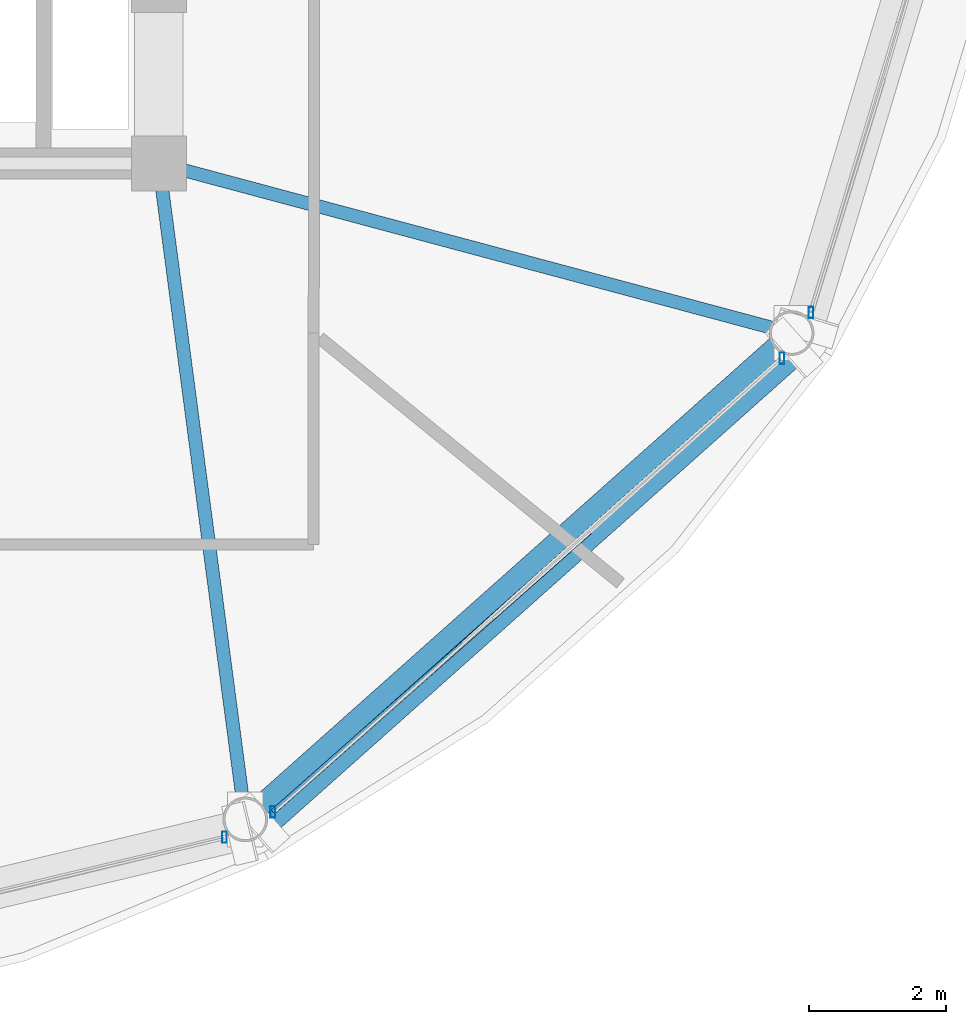
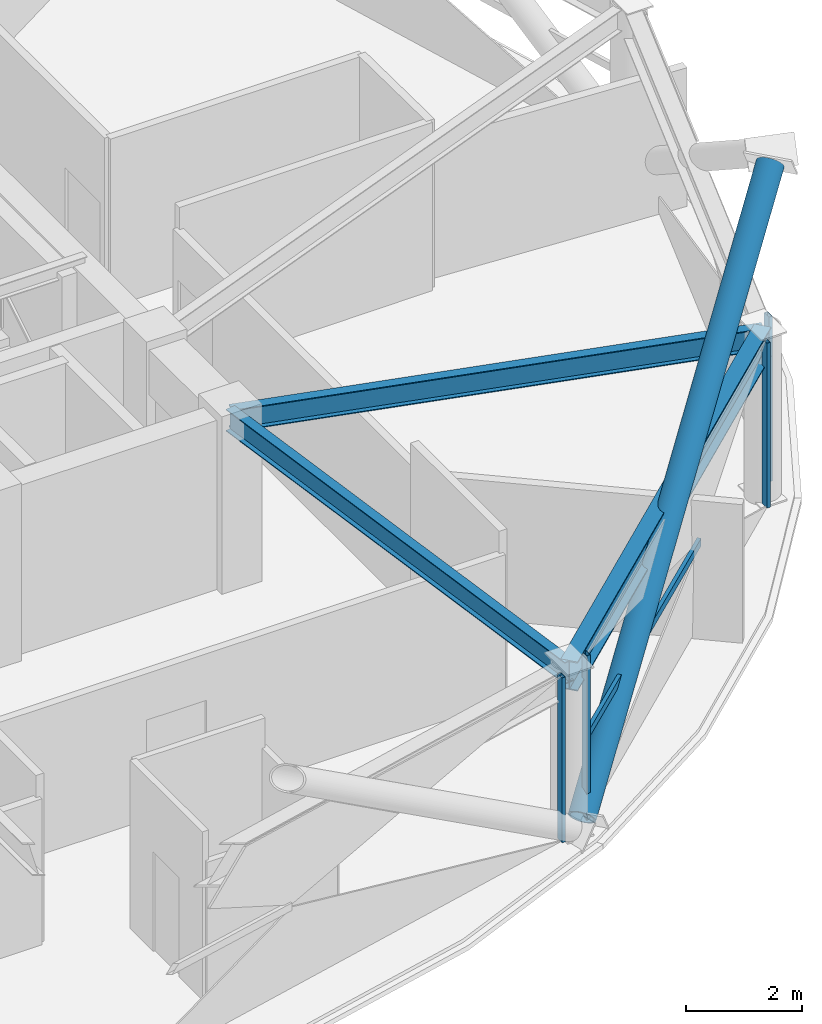
# One storey, part 11 of 28: 6 members, 3 beams, 3 elements without a shape of their own.
"""IFC4 building model written with IfcOpenShell, lengths in metres."""

from ifc_helpers import new_model, si_unit, direction, frame, origin, origin_2d, place, context, subcontext, project, spatial, hollow_rectangle, hollow_circle, i_section, extrude, material, layer, layer_set, material_profile, profile_set, type_object, element, aggregate, save


model = new_model("IFC4")

# Units and contexts
model_context = context("Model", 3, precision=1e-05, world=origin(), true_north=direction((0.0, 1.0)))
body_context = subcontext(model_context, "Body", "Model", "MODEL_VIEW")
ifc_project = project(units=[si_unit("LENGTHUNIT", "METRE"), si_unit("AREAUNIT", "SQUARE_METRE"), si_unit("VOLUMEUNIT", "CUBIC_METRE"), si_unit("PLANEANGLEUNIT", "RADIAN"), si_unit("MASSUNIT", "GRAM", prefix="KILO")], contexts=[model_context])

# Site, building, storey
site_placement = place(None, origin())
site = spatial("IfcSite", under=ifc_project, at=site_placement, CompositionType="ELEMENT")
building_placement = place(site_placement, origin())
building = spatial("IfcBuilding", under=site, at=building_placement, Name="Vantalir Tower", CompositionType="ELEMENT")
storey_placement = place(building_placement, frame((0.0, 0.0, 242.39990234375)))
storey = spatial("IfcBuildingStorey", under=building, at=storey_placement, Name="L61", CompositionType="ELEMENT", Elevation=242.39990234375)

# Beams
ifc_material_1 = material(Name="Steel S355", Category="steel")
ifc_material_profile_1 = material_profile(ifc_material_1, i_section(OverallWidth=0.19189453125, OverallDepth=0.462890625, WebThickness=0.010498046875, FlangeThickness=0.017578125, at=origin_2d()), Name="Steel S355")
ifc_profile_set_1 = profile_set([ifc_material_profile_1], Name="Steel S355")
beam_type_1 = type_object("IfcBeamType", Name="BM-RB-457x191", PredefinedType="BEAM", material=ifc_profile_set_1)
beam_1_placement = place(storey_placement, frame((42.35888671875, 8.257080078125, 3.338134765625), z_axis=(-0.130774684438, 0.991412115071, 0.0), x_axis=(-0.991412115071, -0.130774684438, 0.0)))
element("IfcBeam", 1, at=beam_1_placement, inside=storey, type_object=beam_type_1, Name="L61 Radial Floor Beam 11", PredefinedType="BEAM", context=body_context, shape_type="SweptSolid", body=[
    extrude(i_section(OverallWidth=0.19189453125, OverallDepth=0.462890625, WebThickness=0.010498046875, FlangeThickness=0.017578125, at=origin_2d()), origin(), (0.0, 0.0, 1.0), 9.625732421875),
])
beam_2_placement = place(storey_placement, frame((50.30810546875, 15.3330078125, 3.338134765625), z_axis=(-0.965932047749, 0.25879582518, 0.0), x_axis=(-0.25879582518, -0.965932047749, 0.0)))
element("IfcBeam", 2, at=beam_2_placement, inside=storey, type_object=beam_type_1, Name="L61 Radial Floor Beam 12", PredefinedType="BEAM", context=body_context, shape_type="SweptSolid", body=[
    extrude(i_section(OverallWidth=0.19189453125, OverallDepth=0.462890625, WebThickness=0.010498046875, FlangeThickness=0.017578125, at=origin_2d()), origin(), (0.0, 0.0, 1.0), 9.53271484375),
])
ifc_material_2 = material(Name="Steel S460", Category="steel")
ifc_material_profile_2 = material_profile(ifc_material_2, i_section(OverallWidth=0.306884765625, OverallDepth=0.6201171875, WebThickness=0.01416015625, FlangeThickness=0.023681640625, at=origin_2d()), Name="Steel S460")
ifc_profile_set_2 = profile_set([ifc_material_profile_2], Name="Steel S460")
beam_type_2 = type_object("IfcBeamType", Name="BM-RG-610x305", PredefinedType="USERDEFINED", material=ifc_profile_set_2)
beam_3_placement = place(storey_placement, frame((42.35888671875, 8.257080078125, 3.260009765625), z_axis=(0.746944629215, 0.664886246577, 0.0), x_axis=(-0.664886246577, 0.746944629215, 0.0)))
element("IfcBeam", 3, at=beam_3_placement, inside=storey, type_object=beam_type_2, Name="L61 Circumferential Ring Girder 11", ObjectType="GIRDER", PredefinedType="USERDEFINED", context=body_context, shape_type="SweptSolid", body=[
    extrude(i_section(OverallWidth=0.306884765625, OverallDepth=0.6201171875, WebThickness=0.01416015625, FlangeThickness=0.023681640625, at=origin_2d()), origin(), (0.0, 0.0, 1.0), 10.642333984375),
])

# Curtain wall, member
ifc_material_3 = material(Name="Champagne-silver PVDF aluminium and double-silver Low-E glass", Category="aluminium")
ifc_layer = layer(ifc_material_3, 0.2099609375)
ifc_layer_set = layer_set([ifc_layer], Name="Champagne-silver PVDF aluminium and double-silver Low-E glass")
curtain_wall_type = type_object("IfcCurtainWallType", Name="CW-DIAMOND-Z3", PredefinedType="USERDEFINED", material=ifc_layer_set)
curtain_wall_1_placement = place(storey_placement, origin())
curtain_wall_1 = element("IfcCurtainWall", 4, at=curtain_wall_1_placement, inside=storey, type_object=curtain_wall_type, Name="L61 Quilted Pyramid-Diamond Curtain Wall S10", ObjectType="UNITISED CURTAIN WALL", PredefinedType="USERDEFINED")
ifc_material_4 = material(Name="Champagne-silver PVDF aluminium 6063-T6", Category="aluminium")
ifc_material_profile_3 = material_profile(ifc_material_4, hollow_rectangle(XDim=0.070068359375, YDim=0.1650390625, WallThickness=0.00390625, at=origin_2d()), Name="Champagne-silver PVDF aluminium 6063-T6")
ifc_profile_set_3 = profile_set([ifc_material_profile_3], Name="Champagne-silver PVDF aluminium 6063-T6")
member_type_1 = type_object("IfcMemberType", Name="CWM-165x70", PredefinedType="MULLION", material=ifc_profile_set_3)
member_1_placement = place(storey_placement, frame((42.054931640625, 7.998046875, 0.045166015625), z_axis=(0.0, 0.0, 1.0), x_axis=(1.0, 0.0, 0.0)))
member_1 = element("IfcMember", 5, at=member_1_placement, type_object=member_type_1, Name="CW-L61-S10 Mullion 2", PredefinedType="MULLION", context=body_context, shape_type="SweptSolid", body=[
    extrude(hollow_rectangle(XDim=0.070068359375, YDim=0.1650390625, WallThickness=0.00390625, at=origin_2d()), origin(), (0.0, 0.0, 1.0), 3.47998046875),
])
aggregate(curtain_wall_1, [member_1])

# Curtain wall, members
curtain_wall_2_placement = place(storey_placement, origin())
curtain_wall_2 = element("IfcCurtainWall", 6, at=curtain_wall_2_placement, inside=storey, type_object=curtain_wall_type, Name="L61 Quilted Pyramid-Diamond Curtain Wall S11", ObjectType="UNITISED CURTAIN WALL", PredefinedType="USERDEFINED")
member_2_placement = place(storey_placement, frame((42.760009765625, 8.365966796875, 0.045166015625), z_axis=(0.0, 0.0, 1.0), x_axis=(1.0, 0.0, 0.0)))
member_2 = element("IfcMember", 7, at=member_2_placement, type_object=member_type_1, Name="CW-L61-S11 Mullion 1", PredefinedType="MULLION", context=body_context, shape_type="SweptSolid", body=[
    extrude(hollow_rectangle(XDim=0.070068359375, YDim=0.1650390625, WallThickness=0.00390625, at=origin_2d()), origin(), (0.0, 0.0, 1.0), 3.47998046875),
])
member_3_placement = place(storey_placement, frame((50.1669921875, 14.965087890625, 0.045166015625), z_axis=(0.0, 0.0, 1.0), x_axis=(1.0, 0.0, 0.0)))
member_3 = element("IfcMember", 8, at=member_3_placement, type_object=member_type_1, Name="CW-L61-S11 Mullion 2", PredefinedType="MULLION", context=body_context, shape_type="SweptSolid", body=[
    extrude(hollow_rectangle(XDim=0.070068359375, YDim=0.1650390625, WallThickness=0.00390625, at=origin_2d()), origin(), (0.0, 0.0, 1.0), 3.47998046875),
])

# Curtain wall, member
curtain_wall_3_placement = place(storey_placement, origin())
curtain_wall_3 = element("IfcCurtainWall", 9, at=curtain_wall_3_placement, inside=storey, type_object=curtain_wall_type, Name="L61 Quilted Pyramid-Diamond Curtain Wall S12", ObjectType="UNITISED CURTAIN WALL", PredefinedType="USERDEFINED")
member_4_placement = place(storey_placement, frame((50.591064453125, 15.631103515625, 0.045166015625), z_axis=(0.0, 0.0, 1.0), x_axis=(1.0, 0.0, 0.0)))
member_4 = element("IfcMember", 10, at=member_4_placement, type_object=member_type_1, Name="CW-L61-S12 Mullion 1", PredefinedType="MULLION", context=body_context, shape_type="SweptSolid", body=[
    extrude(hollow_rectangle(XDim=0.070068359375, YDim=0.1650390625, WallThickness=0.00390625, at=origin_2d()), origin(), (0.0, 0.0, 1.0), 3.47998046875),
])
aggregate(curtain_wall_3, [member_4])

# Member
ifc_material_profile_4 = material_profile(ifc_material_4, hollow_rectangle(XDim=0.074951171875, YDim=0.159912109375, WallThickness=0.00390625, at=origin_2d()), Name="Champagne-silver PVDF aluminium 6063-T6")
ifc_profile_set_4 = profile_set([ifc_material_profile_4], Name="Champagne-silver PVDF aluminium 6063-T6")
member_type_2 = type_object("IfcMemberType", Name="CWT-160x75", PredefinedType="USERDEFINED", material=ifc_profile_set_4)
member_5_placement = place(storey_placement, frame((42.760009765625, 8.365966796875, 1.78515625), z_axis=(0.749148717244, 0.662401841371, 0.0), x_axis=(-0.662401841371, 0.749148717244, 0.0)))
member_5 = element("IfcMember", 11, at=member_5_placement, type_object=member_type_2, Name="CW-L61-S11 Pyramid Fold Ridge Transom", ObjectType="TRANSOM", PredefinedType="USERDEFINED", context=body_context, shape_type="SweptSolid", body=[
    extrude(hollow_rectangle(XDim=0.074951171875, YDim=0.159912109375, WallThickness=0.00390625, at=origin_2d()), origin(), (0.0, 0.0, 1.0), 6.155029296875),
])

aggregate(curtain_wall_2, [member_2, member_3, member_5])

ifc_material_profile_5 = material_profile(ifc_material_2, hollow_circle(Radius=0.25, WallThickness=0.031982421875, at=origin_2d()), Name="Steel S460")
ifc_profile_set_5 = profile_set([ifc_material_profile_5], Name="Steel S460")
member_type_3 = type_object("IfcMemberType", Name="MEM-DB-500x32", PredefinedType="BRACE", material=ifc_profile_set_5)
member_6_placement = place(storey_placement, frame((42.591064453125, 8.215087890625, 0.2021484375), z_axis=(0.621209164896, 0.553513168835, 0.554727271166), x_axis=(-0.665254469402, 0.746616696131, 0.0)))
element("IfcMember", 12, at=member_6_placement, inside=storey, type_object=member_type_3, Name="L61 Perimeter S460 Diagrid Brace R31L", PredefinedType="BRACE", context=body_context, shape_type="SweptSolid", body=[
    extrude(hollow_circle(Radius=0.25, WallThickness=0.031982421875, at=origin_2d()), origin(), (0.0, 0.0, 1.0), 12.467529296875),
])

save(model, "model.ifc")
